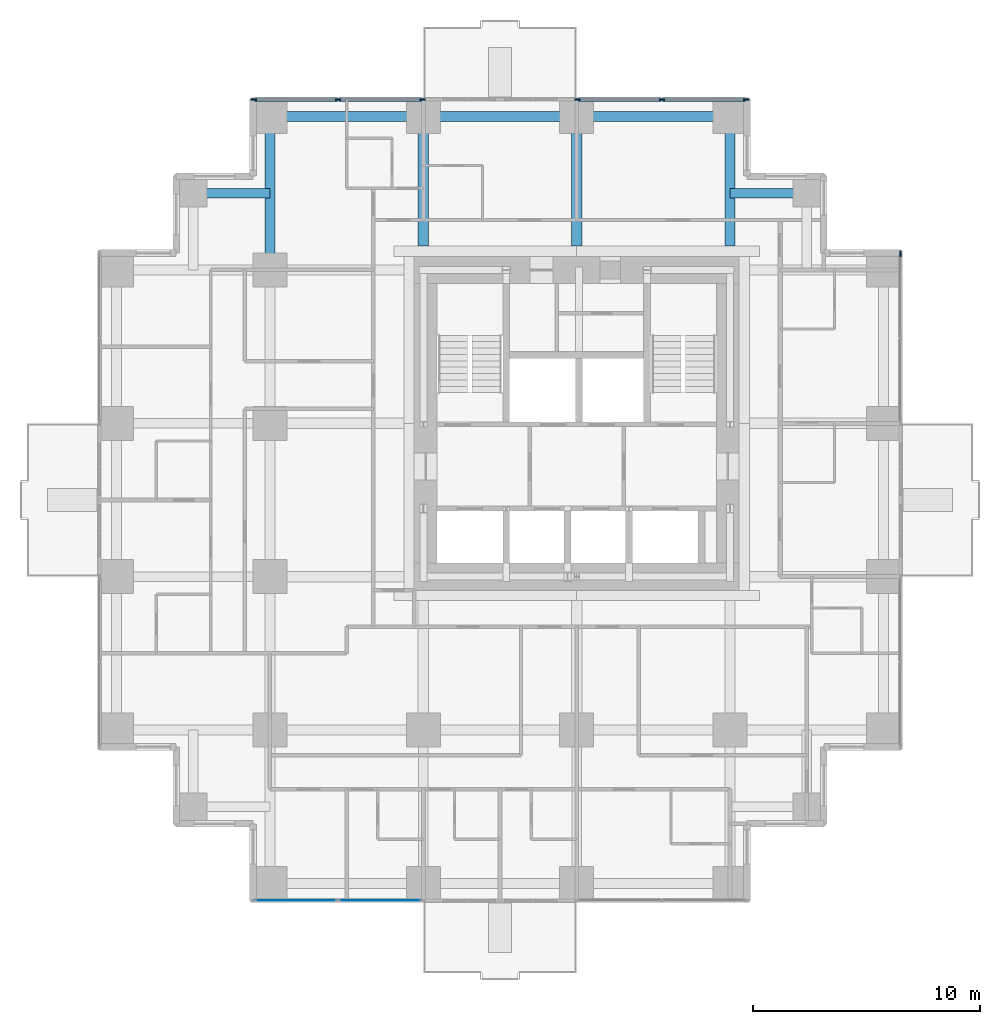
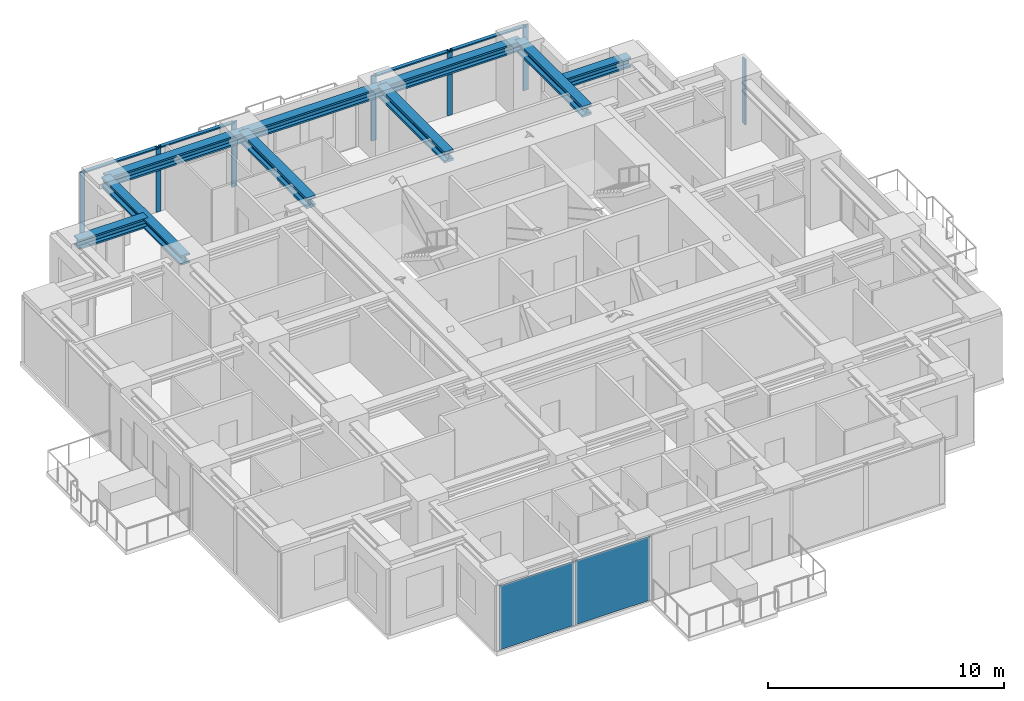
# One storey, part 3 of 10: 11 members, 9 beams, 2 plates, 4 elements without a shape of their own.
"""IFC4 building model written with IfcOpenShell, lengths in metres."""

from ifc_helpers import new_model, si_unit, direction, frame, origin, origin_2d, place, context, subcontext, project, spatial, rectangle, i_section, extrude, material, layer, layer_set, material_profile, profile_set, type_object, element, aggregate, save


model = new_model("IFC4")

# Units and contexts
model_context = context("Model", 3, precision=1e-05, world=origin(), true_north=direction((0.0, 1.0)))
body_context = subcontext(model_context, "Body", "Model", "MODEL_VIEW")
ifc_project = project(units=[si_unit("LENGTHUNIT", "METRE"), si_unit("AREAUNIT", "SQUARE_METRE"), si_unit("VOLUMEUNIT", "CUBIC_METRE"), si_unit("PLANEANGLEUNIT", "RADIAN"), si_unit("MASSUNIT", "GRAM", prefix="KILO")], contexts=[model_context])

# Site, building, storey
site_placement = place(None, origin())
site = spatial("IfcSite", under=ifc_project, at=site_placement, CompositionType="ELEMENT")
building_placement = place(site_placement, origin())
building = spatial("IfcBuilding", under=site, at=building_placement, Name="Nyansa Garden Tower", CompositionType="ELEMENT")
storey_placement = place(building_placement, frame((0.0, 0.0, 149.39990234375)))
storey = spatial("IfcBuildingStorey", under=building, at=storey_placement, Name="L40", CompositionType="ELEMENT", Elevation=149.39990234375)

# Curtain wall, member
ifc_material_1 = material(Name="Black anodised aluminium, dark tinted double glazing", Category="aluminium")
curtain_wall_type = type_object("IfcCurtainWallType", Name="Inner skin curtain wall ISW-C", PredefinedType="USERDEFINED", material=ifc_material_1)
curtain_wall_1_placement = place(storey_placement, origin())
curtain_wall_1 = element("IfcCurtainWall", 1, at=curtain_wall_1_placement, inside=storey, type_object=curtain_wall_type, Name="Inner skin curtain wall L40 E", ObjectType="UNITISED CURTAIN WALL", PredefinedType="USERDEFINED")
ifc_material_2 = material(Name="Black anodised aluminium", Category="aluminium")
ifc_material_profile_1 = material_profile(ifc_material_2, rectangle(XDim=0.070068359375, YDim=0.25, at=origin_2d()), Name="Mullion 250x70")
ifc_profile_set_1 = profile_set([ifc_material_profile_1], Name="Black anodised aluminium")
member_type_1 = type_object("IfcMemberType", Name="Mullion ISW-C 250x70", PredefinedType="MULLION", material=ifc_profile_set_1)
member_1_placement = place(storey_placement, frame((34.5, 27.715087890625, 0.0), z_axis=(0.0, 0.0, 1.0), x_axis=(-1.0, 0.0, 0.0)))
member_1 = element("IfcMember", 2, at=member_1_placement, type_object=member_type_1, Name="ISW-C mullion 3", PredefinedType="MULLION", context=body_context, shape_type="SweptSolid", body=[
    extrude(rectangle(XDim=0.070068359375, YDim=0.25, at=origin_2d()), origin(), (0.0, 0.0, 1.0), 3.375),
])
aggregate(curtain_wall_1, [member_1])

# Curtain wall, members
curtain_wall_2_placement = place(storey_placement, origin())
curtain_wall_2 = element("IfcCurtainWall", 3, at=curtain_wall_2_placement, inside=storey, type_object=curtain_wall_type, Name="Inner skin curtain wall L40 N", ObjectType="UNITISED CURTAIN WALL", PredefinedType="USERDEFINED")
member_2_placement = place(storey_placement, frame((13.465087890625, 34.5, 0.0), z_axis=(0.0, 0.0, 1.0), x_axis=(0.0, -1.0, 0.0)))
member_2 = element("IfcMember", 4, at=member_2_placement, type_object=member_type_1, Name="ISW-C mullion 1", PredefinedType="MULLION", context=body_context, shape_type="SweptSolid", body=[
    extrude(rectangle(XDim=0.070068359375, YDim=0.25, at=origin_2d()), origin(), (0.0, 0.0, 1.0), 3.375),
])
member_3_placement = place(storey_placement, frame((9.75, 34.5, 0.0), z_axis=(0.0, 0.0, 1.0), x_axis=(0.0, -1.0, 0.0)))
member_3 = element("IfcMember", 5, at=member_3_placement, type_object=member_type_1, Name="ISW-C mullion 2", PredefinedType="MULLION", context=body_context, shape_type="SweptSolid", body=[
    extrude(rectangle(XDim=0.070068359375, YDim=0.25, at=origin_2d()), origin(), (0.0, 0.0, 1.0), 3.375),
])
member_4_placement = place(storey_placement, frame((6.034912109375, 34.5, 0.0), z_axis=(0.0, 0.0, 1.0), x_axis=(0.0, -1.0, 0.0)))
member_4 = element("IfcMember", 6, at=member_4_placement, type_object=member_type_1, Name="ISW-C mullion 3", PredefinedType="MULLION", context=body_context, shape_type="SweptSolid", body=[
    extrude(rectangle(XDim=0.070068359375, YDim=0.25, at=origin_2d()), origin(), (0.0, 0.0, 1.0), 3.375),
])

curtain_wall_3_placement = place(storey_placement, origin())
curtain_wall_3 = element("IfcCurtainWall", 7, at=curtain_wall_3_placement, inside=storey, type_object=curtain_wall_type, Name="Inner skin curtain wall L40 N", ObjectType="UNITISED CURTAIN WALL", PredefinedType="USERDEFINED")
member_5_placement = place(storey_placement, frame((27.715087890625, 34.5, 0.0), z_axis=(0.0, 0.0, 1.0), x_axis=(0.0, -1.0, 0.0)))
member_5 = element("IfcMember", 8, at=member_5_placement, type_object=member_type_1, Name="ISW-C mullion 1", PredefinedType="MULLION", context=body_context, shape_type="SweptSolid", body=[
    extrude(rectangle(XDim=0.070068359375, YDim=0.25, at=origin_2d()), origin(), (0.0, 0.0, 1.0), 3.375),
])
member_6_placement = place(storey_placement, frame((24.0, 34.5, 0.0), z_axis=(0.0, 0.0, 1.0), x_axis=(0.0, -1.0, 0.0)))
member_6 = element("IfcMember", 9, at=member_6_placement, type_object=member_type_1, Name="ISW-C mullion 2", PredefinedType="MULLION", context=body_context, shape_type="SweptSolid", body=[
    extrude(rectangle(XDim=0.070068359375, YDim=0.25, at=origin_2d()), origin(), (0.0, 0.0, 1.0), 3.375),
])
member_7_placement = place(storey_placement, frame((20.284912109375, 34.5, 0.0), z_axis=(0.0, 0.0, 1.0), x_axis=(0.0, -1.0, 0.0)))
member_7 = element("IfcMember", 10, at=member_7_placement, type_object=member_type_1, Name="ISW-C mullion 3", PredefinedType="MULLION", context=body_context, shape_type="SweptSolid", body=[
    extrude(rectangle(XDim=0.070068359375, YDim=0.25, at=origin_2d()), origin(), (0.0, 0.0, 1.0), 3.375),
])

# Beams
ifc_material_3 = material(Name="Steel S355", Category="steel")
ifc_material_profile_2 = material_profile(ifc_material_3, i_section(OverallWidth=0.431884765625, OverallDepth=0.498046875, WebThickness=0.0556640625, FlangeThickness=0.0888671875, FilletRadius=0.014892578125, at=origin_2d()), Name="HD 400x744")
ifc_profile_set_2 = profile_set([ifc_material_profile_2], Name="Steel S355")
beam_type_1 = type_object("IfcBeamType", Name="Steel beam SBC1-744 HD 400x744", PredefinedType="BEAM", material=ifc_profile_set_2)
beam_placement = place(storey_placement, frame((6.75, 27.0, 3.1259765625), z_axis=(0.0, 1.0, 0.0), x_axis=(-1.0, 0.0, 0.0)))
element("IfcBeam", 11, at=beam_placement, inside=storey, type_object=beam_type_1, Name="Steel beam 3/H-3/J L41", PredefinedType="BEAM", context=body_context, shape_type="SweptSolid", body=[
    extrude(i_section(OverallWidth=0.431884765625, OverallDepth=0.498046875, WebThickness=0.0556640625, FlangeThickness=0.0888671875, FilletRadius=0.014892578125, at=origin_2d()), origin(), (0.0, 0.0, 1.0), 6.75),
])
ifc_material_4 = material(Name="Steel S355", Category="steel")
ifc_material_profile_3 = material_profile(ifc_material_4, i_section(OverallWidth=0.4541015625, OverallDepth=0.569091796875, WebThickness=0.077880859375, FlangeThickness=0.125, FilletRadius=0.014892578125, at=origin_2d()), Name="HD 400x1086")
ifc_profile_set_3 = profile_set([ifc_material_profile_3], Name="Steel S355")
beam_type_2 = type_object("IfcBeamType", Name="Steel beam SCL-1086 HD 400x1086", PredefinedType="BEAM", material=ifc_profile_set_3)
for number, where, z_axis, x_axis, name in (
    (12, (13.5, 28.050048828125, 3.090576171875), (0.0, 1.0, 0.0), (-1.0, 0.0, 0.0), "Steel beam 4/28.050-4/J L41"),
    (13, (20.25, 28.050048828125, 3.090576171875), (0.0, 1.0, 0.0), (-1.0, 0.0, 0.0), "Steel beam 5/28.050-5/J L41"),
    (14, (27.0, 28.050048828125, 3.090576171875), (0.0, 1.0, 0.0), (-1.0, 0.0, 0.0), "Steel beam 6/28.050-6/J L41"),
):
    element("IfcBeam", number, at=place(storey_placement, frame(where, z_axis=z_axis, x_axis=x_axis)), inside=storey, type_object=beam_type_2, Name=name, PredefinedType="BEAM", context=body_context, shape_type="SweptSolid", body=[
        extrude(i_section(OverallWidth=0.4541015625, OverallDepth=0.569091796875, WebThickness=0.077880859375, FlangeThickness=0.125, FilletRadius=0.014892578125, at=origin_2d()), origin(), (0.0, 0.0, 1.0), 5.699951171875),
    ])
ifc_material_5 = material(Name="Steel S355", Category="steel")
ifc_material_profile_4 = material_profile(ifc_material_5, i_section(OverallWidth=0.431884765625, OverallDepth=0.498046875, WebThickness=0.0556640625, FlangeThickness=0.0888671875, FilletRadius=0.014892578125, at=origin_2d()), Name="HD 400x744")
ifc_profile_set_4 = profile_set([ifc_material_profile_4], Name="Steel S355")
beam_type_3 = type_object("IfcBeamType", Name="Steel beam SEBC-744 HD 400x744", PredefinedType="BEAM", material=ifc_profile_set_4)
for number, where, z_axis, x_axis, name in (
    (15, (6.75, 33.75, 3.1259765625), (1.0, 0.0, 0.0), (0.0, 1.0, 0.0), "Steel edge beam 3/J-4/J L41"),
    (16, (13.5, 33.75, 3.1259765625), (1.0, 0.0, 0.0), (0.0, 1.0, 0.0), "Steel edge beam 4/J-5/J L41"),
    (17, (20.25, 33.75, 3.1259765625), (1.0, 0.0, 0.0), (0.0, 1.0, 0.0), "Steel edge beam 5/J-6/J L41"),
):
    element("IfcBeam", number, at=place(storey_placement, frame(where, z_axis=z_axis, x_axis=x_axis)), inside=storey, type_object=beam_type_3, Name=name, PredefinedType="BEAM", context=body_context, shape_type="SweptSolid", body=[
        extrude(i_section(OverallWidth=0.431884765625, OverallDepth=0.498046875, WebThickness=0.0556640625, FlangeThickness=0.0888671875, FilletRadius=0.014892578125, at=origin_2d()), origin(), (0.0, 0.0, 1.0), 6.75),
    ])
ifc_material_6 = material(Name="Steel S355", Category="steel")
ifc_material_profile_5 = material_profile(ifc_material_6, i_section(OverallWidth=0.431884765625, OverallDepth=0.498046875, WebThickness=0.0556640625, FlangeThickness=0.0888671875, FilletRadius=0.014892578125, at=origin_2d()), Name="HD 400x744")
ifc_profile_set_5 = profile_set([ifc_material_profile_5], Name="Steel S355")
beam_type_4 = type_object("IfcBeamType", Name="Steel beam SSB1-744 HD 400x744", PredefinedType="BEAM", material=ifc_profile_set_5)
for number, where, z_axis, x_axis, name in (
    (18, (30.375, 30.375, 3.1259765625), (-1.0, 0.0, 0.0), (0.0, -1.0, 0.0), "Steel step beam 30.375/30.375 L41"),
    (19, (3.375, 30.375, 3.1259765625), (1.0, 0.0, 0.0), (0.0, 1.0, 0.0), "Steel step beam 3.375/30.375 L41"),
):
    element("IfcBeam", number, at=place(storey_placement, frame(where, z_axis=z_axis, x_axis=x_axis)), inside=storey, type_object=beam_type_4, Name=name, PredefinedType="BEAM", context=body_context, shape_type="SweptSolid", body=[
        extrude(i_section(OverallWidth=0.431884765625, OverallDepth=0.498046875, WebThickness=0.0556640625, FlangeThickness=0.0888671875, FilletRadius=0.014892578125, at=origin_2d()), origin(), (0.0, 0.0, 1.0), 3.375),
    ])

# Member
ifc_material_7 = material(Name="Black anodised aluminium", Category="aluminium")
ifc_material_profile_6 = material_profile(ifc_material_7, rectangle(XDim=0.179931640625, YDim=0.070068359375, at=origin_2d()), Name="Transom 180x70")
ifc_profile_set_6 = profile_set([ifc_material_profile_6], Name="Black anodised aluminium")
member_type_2 = type_object("IfcMemberType", Name="Transom ISW-C 180x70", PredefinedType="USERDEFINED", material=ifc_profile_set_6)
member_8_placement = place(storey_placement, frame((13.429931640625, 34.5, 3.340087890625), z_axis=(-1.0, 0.0, 0.0), x_axis=(0.0, -1.0, 0.0)))
member_8 = element("IfcMember", 20, at=member_8_placement, type_object=member_type_2, Name="ISW-C transom 1", ObjectType="TRANSOM", PredefinedType="USERDEFINED", context=body_context, shape_type="SweptSolid", body=[
    extrude(rectangle(XDim=0.179931640625, YDim=0.070068359375, at=origin_2d()), origin(), (0.0, 0.0, 1.0), 3.64501953125),
])

member_9_placement = place(storey_placement, frame((9.715087890625, 34.5, 3.340087890625), z_axis=(-1.0, 0.0, 0.0), x_axis=(0.0, -1.0, 0.0)))
member_9 = element("IfcMember", 21, at=member_9_placement, type_object=member_type_2, Name="ISW-C transom 2", ObjectType="TRANSOM", PredefinedType="USERDEFINED", context=body_context, shape_type="SweptSolid", body=[
    extrude(rectangle(XDim=0.179931640625, YDim=0.070068359375, at=origin_2d()), origin(), (0.0, 0.0, 1.0), 3.64501953125),
])

aggregate(curtain_wall_2, [member_2, member_3, member_4, member_8, member_9])

member_10_placement = place(storey_placement, frame((27.679931640625, 34.5, 3.340087890625), z_axis=(-1.0, 0.0, 0.0), x_axis=(0.0, -1.0, 0.0)))
member_10 = element("IfcMember", 22, at=member_10_placement, type_object=member_type_2, Name="ISW-C transom 1", ObjectType="TRANSOM", PredefinedType="USERDEFINED", context=body_context, shape_type="SweptSolid", body=[
    extrude(rectangle(XDim=0.179931640625, YDim=0.070068359375, at=origin_2d()), origin(), (0.0, 0.0, 1.0), 3.64501953125),
])

member_11_placement = place(storey_placement, frame((23.965087890625, 34.5, 3.340087890625), z_axis=(-1.0, 0.0, 0.0), x_axis=(0.0, -1.0, 0.0)))
member_11 = element("IfcMember", 23, at=member_11_placement, type_object=member_type_2, Name="ISW-C transom 2", ObjectType="TRANSOM", PredefinedType="USERDEFINED", context=body_context, shape_type="SweptSolid", body=[
    extrude(rectangle(XDim=0.179931640625, YDim=0.070068359375, at=origin_2d()), origin(), (0.0, 0.0, 1.0), 3.64501953125),
])

aggregate(curtain_wall_3, [member_5, member_6, member_7, member_10, member_11])

# Curtain wall, plates
curtain_wall_4_placement = place(storey_placement, origin())
curtain_wall_4 = element("IfcCurtainWall", 24, at=curtain_wall_4_placement, inside=storey, type_object=curtain_wall_type, Name="Inner skin curtain wall L40 S", ObjectType="UNITISED CURTAIN WALL", PredefinedType="USERDEFINED")
ifc_material_8 = material(Name="Dark tinted laminated double glazing", Category="glass")
ifc_layer = layer(ifc_material_8, 0.0400390625)
ifc_layer_set = layer_set([ifc_layer], Name="Dark tinted vision panel VP-C")
plate_type = type_object("IfcPlateType", Name="Dark tinted vision panel VP-C", PredefinedType="CURTAIN_PANEL", material=ifc_layer_set)
plate_1_placement = place(storey_placement, frame((7.892578125, -0.75, 0.0), z_axis=(0.0, 0.0, 1.0), x_axis=(1.0, 0.0, 0.0)))
plate_1 = element("IfcPlate", 25, at=plate_1_placement, type_object=plate_type, Name="ISW-C panel 1", PredefinedType="CURTAIN_PANEL", context=body_context, shape_type="SweptSolid", body=[
    extrude(rectangle(XDim=3.64501953125, YDim=0.0400390625, at=origin_2d()), origin(), (0.0, 0.0, 1.0), 3.304931640625),
])
plate_2_placement = place(storey_placement, frame((11.607421875, -0.75, 0.0), z_axis=(0.0, 0.0, 1.0), x_axis=(1.0, 0.0, 0.0)))
plate_2 = element("IfcPlate", 26, at=plate_2_placement, type_object=plate_type, Name="ISW-C panel 2", PredefinedType="CURTAIN_PANEL", context=body_context, shape_type="SweptSolid", body=[
    extrude(rectangle(XDim=3.64501953125, YDim=0.0400390625, at=origin_2d()), origin(), (0.0, 0.0, 1.0), 3.304931640625),
])
aggregate(curtain_wall_4, [plate_1, plate_2])

save(model, "model.ifc")
